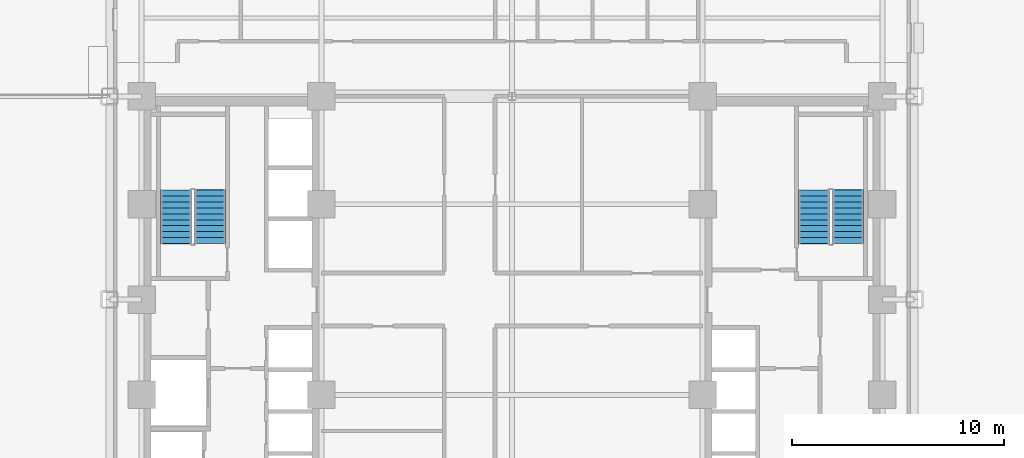
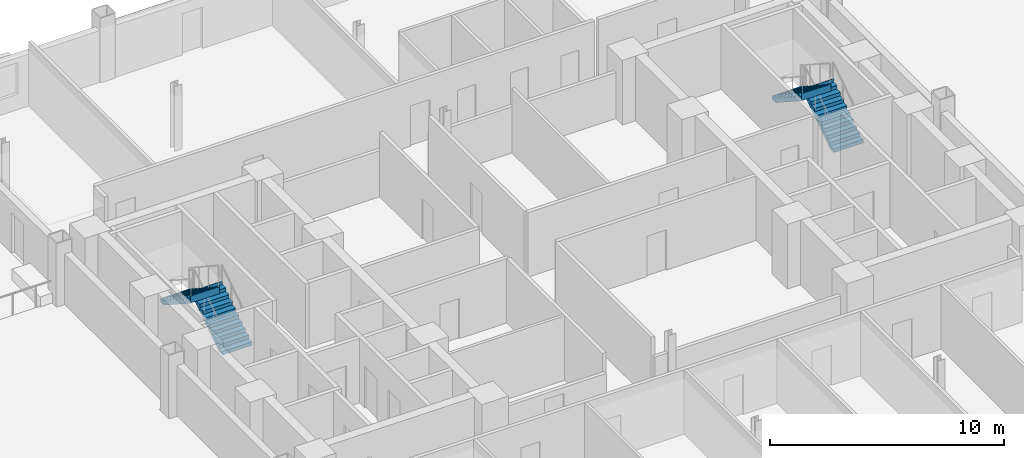
# One storey, part 8 of 13: 4 stair flights, 2 elements without a shape of their own.
"""IFC4 building model written with IfcOpenShell, lengths in metres."""

from ifc_helpers import new_model, si_unit, direction, frame, origin, place, context, subcontext, project, spatial, polyline, outline, extrude, material, type_object, element, aggregate, save


model = new_model("IFC4")

# Units and contexts
model_context = context("Model", 3, precision=1e-05, world=origin(), true_north=direction((0.0, 1.0)))
body_context = subcontext(model_context, "Body", "Model", "MODEL_VIEW")
ifc_project = project(units=[si_unit("LENGTHUNIT", "METRE"), si_unit("AREAUNIT", "SQUARE_METRE"), si_unit("VOLUMEUNIT", "CUBIC_METRE"), si_unit("PLANEANGLEUNIT", "RADIAN"), si_unit("MASSUNIT", "GRAM", prefix="KILO")], contexts=[model_context])

# Site, building, storey
site_placement = place(None, origin())
site = spatial("IfcSite", under=ifc_project, at=site_placement, CompositionType="ELEMENT")
building_placement = place(site_placement, origin())
building = spatial("IfcBuilding", under=site, at=building_placement, Name="Nuvemarco Arch Tower", CompositionType="ELEMENT")
storey_placement = place(building_placement, frame((0.0, 0.0, 27.60009765625)))
storey = spatial("IfcBuildingStorey", under=building, at=storey_placement, Name="L06", CompositionType="ELEMENT", Elevation=27.60009765625)

# Stair, stair flights
ifc_material = material(Name="Precast concrete C45/55", Category="concrete")
stair_type = type_object("IfcStairType", Name="ST-CORE-20R", PredefinedType="HALF_TURN_STAIR", material=ifc_material)
stair_1_placement = place(storey_placement, origin())
stair_1 = element("IfcStair", 1, at=stair_1_placement, inside=storey, type_object=stair_type, Name="L06 Protected Exit Stair ST-1", PredefinedType="HALF_TURN_STAIR")
stair_flight_type = type_object("IfcStairFlightType", Name="SF-CORE-20R", PredefinedType="STRAIGHT", material=ifc_material)
stair_flight_1_placement = place(storey_placement, frame((-14.264892578125, 2.64990234375, 0.0), z_axis=(0.0, 0.0, 1.0), x_axis=(0.0, 1.0, 0.0)))
stair_flight_1 = element("IfcStairFlight", 2, at=stair_flight_1_placement, type_object=stair_flight_type, Name="ST-20R flight 1", NumberOfRisers=10, NumberOfTreads=9, PredefinedType="STRAIGHT", RiserHeight=0.1825, TreadLength=0.28, context=body_context, shape_type="SweptSolid", body=[
    extrude(outline(polyline([(0.0, 0.0), (0.0, 0.1826171875), (0.280029296875, 0.1826171875), (0.280029296875, 0.364990234375), (0.56005859375, 0.364990234375), (0.56005859375, 0.547607421875), (0.840087890625, 0.547607421875), (0.840087890625, 0.72998046875), (1.1201171875, 0.72998046875), (1.1201171875, 0.91259765625), (1.39990234375, 0.91259765625), (1.39990234375, 1.094970703125), (1.679931640625, 1.094970703125), (1.679931640625, 1.277587890625), (1.9599609375, 1.277587890625), (1.9599609375, 1.4599609375), (2.239990234375, 1.4599609375), (2.239990234375, 1.642578125), (2.52001953125, 1.642578125), (2.52001953125, 1.824951171875), (2.5400390625, 1.824951171875), (2.5400390625, 1.45166015625), (0.312744140625, 0.0), (0.0, 0.0)])), frame((0.0, 0.72509765625, 0.0), z_axis=(0.0, -1.0, 0.0), x_axis=(1.0, 0.0, 0.0)), (0.0, 0.0, 1.0), 1.449951171875),
])
stair_flight_2_placement = place(storey_placement, frame((-15.875, 5.169921875, 1.824951171875), z_axis=(0.0, 0.0, 1.0), x_axis=(0.0, -1.0, 0.0)))
stair_flight_2 = element("IfcStairFlight", 3, at=stair_flight_2_placement, type_object=stair_flight_type, Name="ST-20R flight 2", NumberOfRisers=10, NumberOfTreads=9, PredefinedType="STRAIGHT", RiserHeight=0.1825, TreadLength=0.28, context=body_context, shape_type="SweptSolid", body=[
    extrude(outline(polyline([(0.0, 0.0), (0.0, 0.1826171875), (0.280029296875, 0.1826171875), (0.280029296875, 0.364990234375), (0.56005859375, 0.364990234375), (0.56005859375, 0.547607421875), (0.840087890625, 0.547607421875), (0.840087890625, 0.72998046875), (1.1201171875, 0.72998046875), (1.1201171875, 0.91259765625), (1.39990234375, 0.91259765625), (1.39990234375, 1.094970703125), (1.679931640625, 1.094970703125), (1.679931640625, 1.277587890625), (1.9599609375, 1.277587890625), (1.9599609375, 1.4599609375), (2.239990234375, 1.4599609375), (2.239990234375, 1.642578125), (2.52001953125, 1.642578125), (2.52001953125, 1.824951171875), (2.5400390625, 1.824951171875), (2.5400390625, 1.45166015625), (0.312744140625, 0.0), (0.0, 0.0)])), frame((0.0, 0.72509765625, 0.0), z_axis=(0.0, -1.0, 0.0), x_axis=(1.0, 0.0, 0.0)), (0.0, 0.0, 1.0), 1.449951171875),
])
aggregate(stair_1, [stair_flight_1, stair_flight_2])

stair_2_placement = place(storey_placement, origin())
stair_2 = element("IfcStair", 4, at=stair_2_placement, inside=storey, type_object=stair_type, Name="L06 Protected Exit Stair ST-2", PredefinedType="HALF_TURN_STAIR")
stair_flight_3_placement = place(storey_placement, frame((15.875, 2.64990234375, 0.0), z_axis=(0.0, 0.0, 1.0), x_axis=(0.0, 1.0, 0.0)))
stair_flight_3 = element("IfcStairFlight", 5, at=stair_flight_3_placement, type_object=stair_flight_type, Name="ST-20R flight 1", NumberOfRisers=10, NumberOfTreads=9, PredefinedType="STRAIGHT", RiserHeight=0.1825, TreadLength=0.28, context=body_context, shape_type="SweptSolid", body=[
    extrude(outline(polyline([(0.0, 0.0), (0.0, 0.1826171875), (0.280029296875, 0.1826171875), (0.280029296875, 0.364990234375), (0.56005859375, 0.364990234375), (0.56005859375, 0.547607421875), (0.840087890625, 0.547607421875), (0.840087890625, 0.72998046875), (1.1201171875, 0.72998046875), (1.1201171875, 0.91259765625), (1.39990234375, 0.91259765625), (1.39990234375, 1.094970703125), (1.679931640625, 1.094970703125), (1.679931640625, 1.277587890625), (1.9599609375, 1.277587890625), (1.9599609375, 1.4599609375), (2.239990234375, 1.4599609375), (2.239990234375, 1.642578125), (2.52001953125, 1.642578125), (2.52001953125, 1.824951171875), (2.5400390625, 1.824951171875), (2.5400390625, 1.45166015625), (0.312744140625, 0.0), (0.0, 0.0)])), frame((0.0, 0.72509765625, 0.0), z_axis=(0.0, -1.0, 0.0), x_axis=(1.0, 0.0, 0.0)), (0.0, 0.0, 1.0), 1.449951171875),
])
stair_flight_4_placement = place(storey_placement, frame((14.264892578125, 5.169921875, 1.824951171875), z_axis=(0.0, 0.0, 1.0), x_axis=(0.0, -1.0, 0.0)))
stair_flight_4 = element("IfcStairFlight", 6, at=stair_flight_4_placement, type_object=stair_flight_type, Name="ST-20R flight 2", NumberOfRisers=10, NumberOfTreads=9, PredefinedType="STRAIGHT", RiserHeight=0.1825, TreadLength=0.28, context=body_context, shape_type="SweptSolid", body=[
    extrude(outline(polyline([(0.0, 0.0), (0.0, 0.1826171875), (0.280029296875, 0.1826171875), (0.280029296875, 0.364990234375), (0.56005859375, 0.364990234375), (0.56005859375, 0.547607421875), (0.840087890625, 0.547607421875), (0.840087890625, 0.72998046875), (1.1201171875, 0.72998046875), (1.1201171875, 0.91259765625), (1.39990234375, 0.91259765625), (1.39990234375, 1.094970703125), (1.679931640625, 1.094970703125), (1.679931640625, 1.277587890625), (1.9599609375, 1.277587890625), (1.9599609375, 1.4599609375), (2.239990234375, 1.4599609375), (2.239990234375, 1.642578125), (2.52001953125, 1.642578125), (2.52001953125, 1.824951171875), (2.5400390625, 1.824951171875), (2.5400390625, 1.45166015625), (0.312744140625, 0.0), (0.0, 0.0)])), frame((0.0, 0.72509765625, 0.0), z_axis=(0.0, -1.0, 0.0), x_axis=(1.0, 0.0, 0.0)), (0.0, 0.0, 1.0), 1.449951171875),
])
aggregate(stair_2, [stair_flight_3, stair_flight_4])

save(model, "model.ifc")
